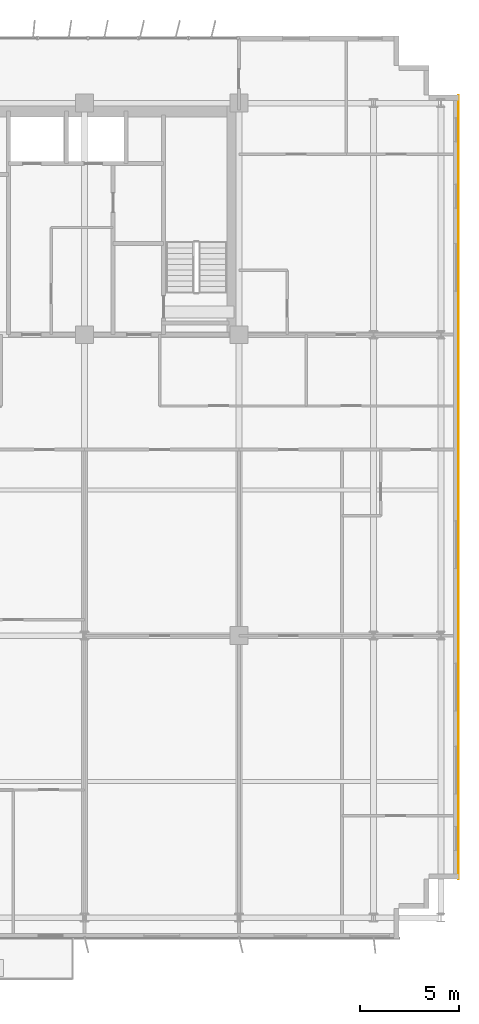
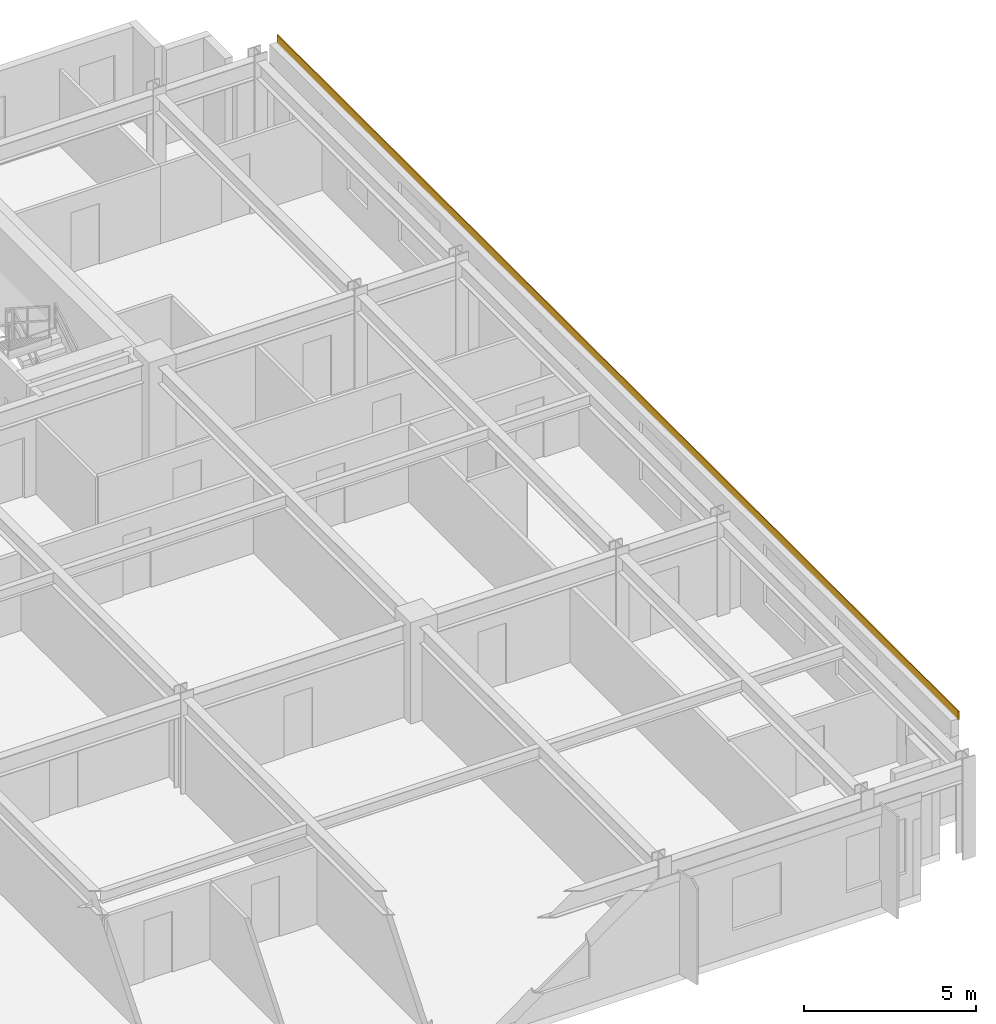
# One storey, part 22 of 22: 1 covering.
"""IFC4 building model written with IfcOpenShell, lengths in metres."""

from ifc_helpers import new_model, si_unit, direction, frame, origin, origin_2d, place, context, subcontext, project, spatial, rectangle, extrude, source, transform, mapped, material, layer, layer_set, type_object, element, save


model = new_model("IFC4")

# Units and contexts
model_context = context("Model", 3, precision=1e-05, world=origin(), true_north=direction((0.0, 1.0)))
body_context = subcontext(model_context, "Body", "Model", "MODEL_VIEW")
ifc_project = project(units=[si_unit("LENGTHUNIT", "METRE"), si_unit("AREAUNIT", "SQUARE_METRE"), si_unit("VOLUMEUNIT", "CUBIC_METRE"), si_unit("PLANEANGLEUNIT", "RADIAN"), si_unit("MASSUNIT", "GRAM", prefix="KILO")], contexts=[model_context])

# Site, building, storey
site_placement = place(None, origin())
site = spatial("IfcSite", under=ifc_project, at=site_placement, CompositionType="ELEMENT")
building_placement = place(site_placement, origin())
building = spatial("IfcBuilding", under=site, at=building_placement, Name="Trelvane Seafront Commons", CompositionType="ELEMENT")
storey_placement = place(building_placement, frame((0.0, 0.0, 52.300048828125)))
storey = spatial("IfcBuildingStorey", under=building, at=storey_placement, Name="L13", CompositionType="ELEMENT", Elevation=52.300048828125)

# Covering
ifc_material = material(Name="Anodised pale-silver aluminium", Category="aluminium")
ifc_layer = layer(ifc_material, 0.034912109375, Name="ARCH-COV-CLAD35")
ifc_layer_set = layer_set([ifc_layer], Name="Anodised pale-silver aluminium")
covering_type = type_object("IfcCoveringType", Name="ARCH-COV-CLAD35", PredefinedType="CLADDING", material=ifc_layer_set)
shared_shape = source(origin(), body_context, "Body", "SweptSolid", [
    extrude(rectangle(XDim=39.60009765625, YDim=0.034912109375, at=origin_2d()), origin(), (0.0, 0.0, 1.0), 0.300048828125),
])
covering_placement = place(storey_placement, frame((69.89990234375, 25.699951171875, 3.2998046875), z_axis=(0.0, 0.0, 1.0), x_axis=(0.0, -1.0, 0.0)))
element("IfcCovering", 1, at=covering_placement, inside=storey, type_object=covering_type, Name="CLD-L13-00064", PredefinedType="CLADDING", context=body_context, shape_type="MappedRepresentation", body=[
    mapped(shared_shape, transform((0.0, 0.0, 0.0), x_axis=(1.0, 0.0, 0.0), y_axis=(0.0, 1.0, 0.0), z_axis=(0.0, 0.0, 1.0), scale=1.0)),
])

save(model, "model.ifc")
